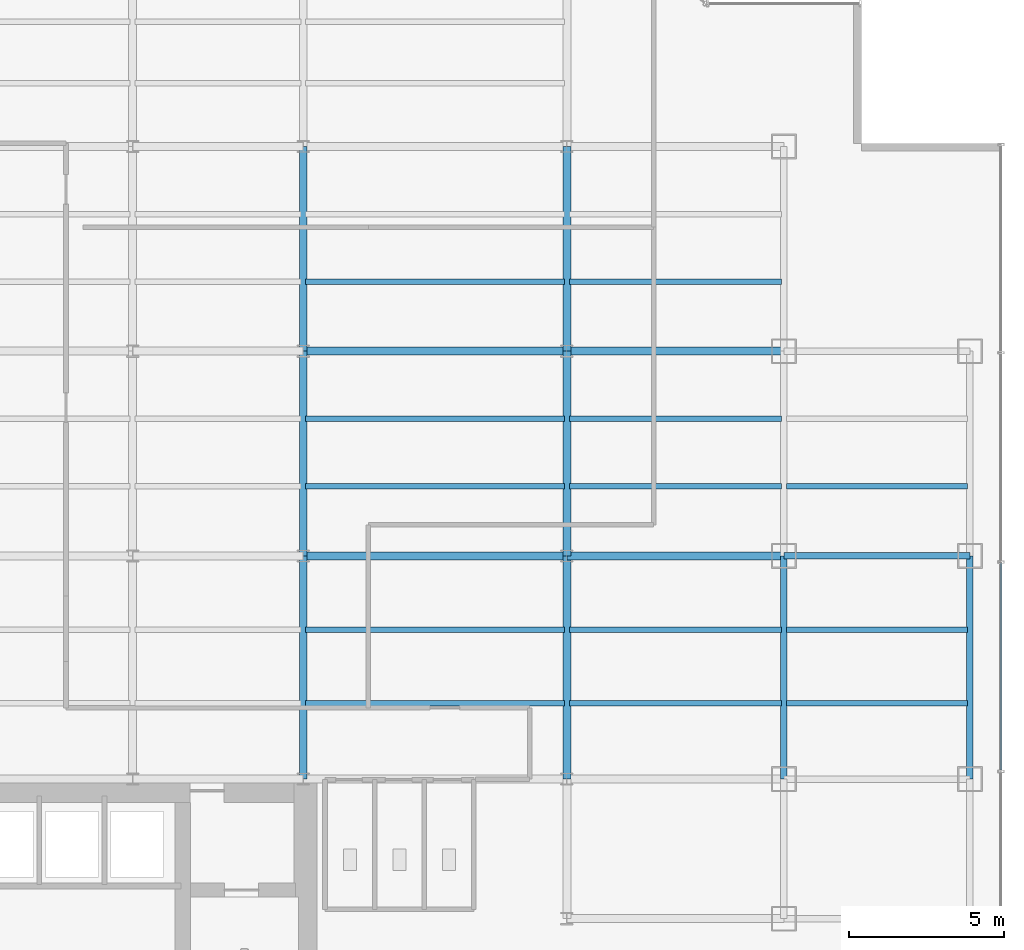
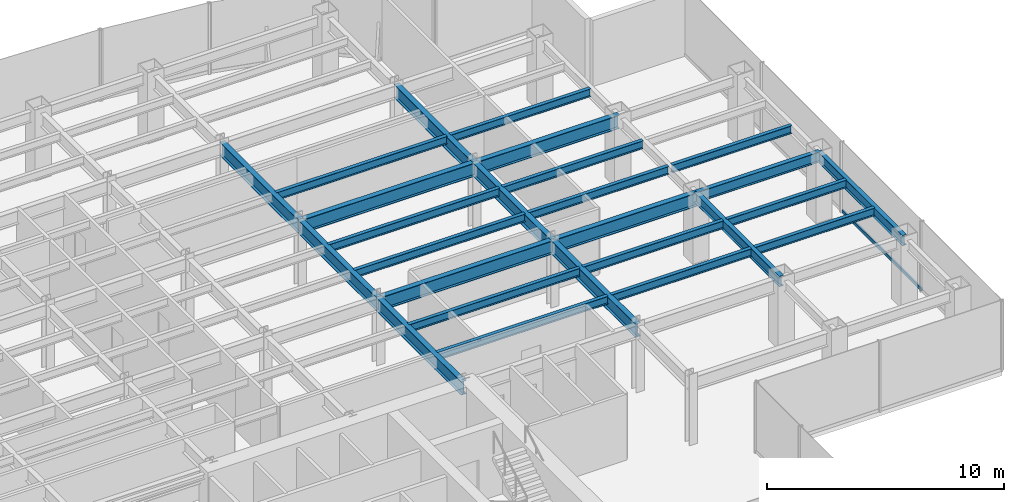
# One storey, part 11 of 26: 26 beams, 1 member, 1 element without a shape of its own.
"""IFC4 building model written with IfcOpenShell, lengths in metres."""

from ifc_helpers import new_model, si_unit, derived_unit, direction, frame, origin, origin_2d, place, context, subcontext, project, spatial, hollow_rectangle, i_section, extrude, source, transform, mapped, material, material_profile, profile_set, type_object, element, aggregate, save


model = new_model("IFC4")

# Units and contexts
model_context = context("Model", 3, precision=1e-05, world=origin(), true_north=direction((0.0, 1.0)))
body_context = subcontext(model_context, "Body", "Model", "MODEL_VIEW")
ifc_project = project(units=[si_unit("LENGTHUNIT", "METRE"), si_unit("AREAUNIT", "SQUARE_METRE"), si_unit("VOLUMEUNIT", "CUBIC_METRE"), si_unit("PLANEANGLEUNIT", "RADIAN"), si_unit("MASSUNIT", "GRAM", prefix="KILO"), derived_unit("THERMALTRANSMITTANCEUNIT", [(si_unit("POWERUNIT", "WATT"), 1), (si_unit("LENGTHUNIT", "METRE"), -2), (si_unit("THERMODYNAMICTEMPERATUREUNIT", "KELVIN"), -1)])], contexts=[model_context])

# Site, building, storey
site_placement = place(None, origin())
site = spatial("IfcSite", under=ifc_project, at=site_placement, CompositionType="ELEMENT")
building_placement = place(site_placement, origin())
building = spatial("IfcBuilding", under=site, at=building_placement, Name="Skarnbrae Concourse Arena and Tower", CompositionType="ELEMENT")
storey_placement = place(building_placement, frame((0.0, 0.0, 114.199951171875)))
storey = spatial("IfcBuildingStorey", under=building, at=storey_placement, Name="L28", CompositionType="ELEMENT", Elevation=114.199951171875)

# Beams
ifc_material_1 = material(Name="Steel CSA G40.21 350W", Category="steel")
ifc_material_profile_1 = material_profile(ifc_material_1, i_section(OverallWidth=0.256103515625, OverallDepth=0.693115234375, WebThickness=0.014404296875, FlangeThickness=0.023681640625, at=origin_2d()), Name="W690X170")
ifc_profile_set_1 = profile_set([ifc_material_profile_1], Name="Steel CSA G40.21 350W")
beam_type_1 = type_object("IfcBeamType", Name="BM-GIRD-W690X170", PredefinedType="BEAM", material=ifc_profile_set_1)
shared_shape_1 = source(origin(), body_context, "Body", "SweptSolid", [
    extrude(i_section(OverallWidth=0.256103515625, OverallDepth=0.693115234375, WebThickness=0.014404296875, FlangeThickness=0.023681640625, at=origin_2d()), origin(), (0.0, 0.0, 1.0), 7.0),
])
for number, where, z_axis, x_axis, name in (
    (1, (42.0, 21.199951171875, 3.053466796875), (1.0, 0.0, 0.0), (0.0, 1.0, 0.0), "L28 Primary E-W girder Y21.2-7"),
    (2, (42.0, 27.800048828125, 3.053466796875), (1.0, 0.0, 0.0), (0.0, 1.0, 0.0), "L28 Primary E-W girder Y27.8-7"),
):
    element("IfcBeam", number, at=place(storey_placement, frame(where, z_axis=z_axis, x_axis=x_axis)), inside=storey, type_object=beam_type_1, Name=name, PredefinedType="BEAM", context=body_context, shape_type="MappedRepresentation", body=[
        mapped(shared_shape_1, transform((0.0, 0.0, 0.0))),
    ])
ifc_material_profile_2 = material_profile(ifc_material_1, i_section(OverallWidth=0.208984375, OverallDepth=0.532958984375, WebThickness=0.01025390625, FlangeThickness=0.015625, at=origin_2d()), Name="W530X92")
ifc_profile_set_2 = profile_set([ifc_material_profile_2], Name="Steel CSA G40.21 350W")
beam_type_2 = type_object("IfcBeamType", Name="BM-SPAN-W530X92", PredefinedType="SPANDREL", material=ifc_profile_set_2)
shared_shape_2 = source(origin(), body_context, "Body", "SweptSolid", [
    extrude(i_section(OverallWidth=0.208984375, OverallDepth=0.532958984375, WebThickness=0.01025390625, FlangeThickness=0.015625, at=origin_2d()), origin(), (0.0, 0.0, 1.0), 6.0),
])
beam_placement = place(storey_placement, frame((49.0, 21.199951171875, 3.133544921875), z_axis=(1.0, 0.0, 0.0), x_axis=(0.0, 1.0, 0.0)))
element("IfcBeam", 3, at=beam_placement, inside=storey, type_object=beam_type_2, Name="L28 Perimeter spandrel Y21.2-8", PredefinedType="SPANDREL", context=body_context, shape_type="MappedRepresentation", body=[
    mapped(shared_shape_2, transform((0.0, 0.0, 0.0))),
])
shared_shape_3 = source(origin(), body_context, "Body", "SweptSolid", [
    extrude(i_section(OverallWidth=0.256103515625, OverallDepth=0.693115234375, WebThickness=0.014404296875, FlangeThickness=0.023681640625, at=origin_2d()), origin(), (0.0, 0.0, 1.0), 6.60009765625),
])
for number, where, z_axis, x_axis, name in (
    (4, (33.5, 21.199951171875, 3.053466796875), (0.0, 1.0, 0.0), (-1.0, 0.0, 0.0), "L28 Primary N-S girder X33.5-2"),
    (5, (42.0, 21.199951171875, 3.053466796875), (0.0, 1.0, 0.0), (-1.0, 0.0, 0.0), "L28 Primary N-S girder X42.0-3"),
):
    element("IfcBeam", number, at=place(storey_placement, frame(where, z_axis=z_axis, x_axis=x_axis)), inside=storey, type_object=beam_type_1, Name=name, PredefinedType="BEAM", context=body_context, shape_type="MappedRepresentation", body=[
        mapped(shared_shape_3, transform((0.0, 0.0, 0.0))),
    ])
shared_shape_4 = source(origin(), body_context, "Body", "SweptSolid", [
    extrude(i_section(OverallWidth=0.256103515625, OverallDepth=0.693115234375, WebThickness=0.014404296875, FlangeThickness=0.023681640625, at=origin_2d()), origin(), (0.0, 0.0, 1.0), 8.5),
])
for number, where, z_axis, x_axis, name in (
    (6, (33.5, 21.199951171875, 3.053466796875), (1.0, 0.0, 0.0), (0.0, 1.0, 0.0), "L28 Primary E-W girder Y21.2-6"),
    (7, (33.5, 27.800048828125, 3.053466796875), (1.0, 0.0, 0.0), (0.0, 1.0, 0.0), "L28 Primary E-W girder Y27.8-6"),
):
    element("IfcBeam", number, at=place(storey_placement, frame(where, z_axis=z_axis, x_axis=x_axis)), inside=storey, type_object=beam_type_1, Name=name, PredefinedType="BEAM", context=body_context, shape_type="MappedRepresentation", body=[
        mapped(shared_shape_4, transform((0.0, 0.0, 0.0))),
    ])
shared_shape_5 = source(origin(), body_context, "Body", "SweptSolid", [
    extrude(i_section(OverallWidth=0.208984375, OverallDepth=0.532958984375, WebThickness=0.01025390625, FlangeThickness=0.015625, at=origin_2d()), origin(), (0.0, 0.0, 1.0), 7.199951171875),
])
for number, where, z_axis, x_axis, name in (
    (8, (49.0, 14.0, 3.133544921875), (0.0, 1.0, 0.0), (-1.0, 0.0, 0.0), "L28 Perimeter spandrel X49.0-2"),
    (9, (55.0, 14.0, 3.133544921875), (0.0, 1.0, 0.0), (-1.0, 0.0, 0.0), "L28 Perimeter spandrel X55.0-2"),
):
    element("IfcBeam", number, at=place(storey_placement, frame(where, z_axis=z_axis, x_axis=x_axis)), inside=storey, type_object=beam_type_2, Name=name, PredefinedType="SPANDREL", context=body_context, shape_type="MappedRepresentation", body=[
        mapped(shared_shape_5, transform((0.0, 0.0, 0.0))),
    ])
shared_shape_6 = source(origin(), body_context, "Body", "SweptSolid", [
    extrude(i_section(OverallWidth=0.256103515625, OverallDepth=0.693115234375, WebThickness=0.014404296875, FlangeThickness=0.023681640625, at=origin_2d()), origin(), (0.0, 0.0, 1.0), 7.199951171875),
])
for number, where, z_axis, x_axis, name in (
    (10, (33.5, 14.0, 3.053466796875), (0.0, 1.0, 0.0), (-1.0, 0.0, 0.0), "L28 Primary N-S girder X33.5-1"),
    (11, (42.0, 14.0, 3.053466796875), (0.0, 1.0, 0.0), (-1.0, 0.0, 0.0), "L28 Primary N-S girder X42.0-2"),
):
    element("IfcBeam", number, at=place(storey_placement, frame(where, z_axis=z_axis, x_axis=x_axis)), inside=storey, type_object=beam_type_1, Name=name, PredefinedType="BEAM", context=body_context, shape_type="MappedRepresentation", body=[
        mapped(shared_shape_6, transform((0.0, 0.0, 0.0))),
    ])
shared_shape_7 = source(origin(), body_context, "Body", "SweptSolid", [
    extrude(i_section(OverallWidth=0.256103515625, OverallDepth=0.693115234375, WebThickness=0.014404296875, FlangeThickness=0.023681640625, at=origin_2d()), origin(), (0.0, 0.0, 1.0), 6.599853515625),
])
for number, where, z_axis, x_axis, name in (
    (12, (33.5, 27.800048828125, 3.053466796875), (0.0, 1.0, 0.0), (-1.0, 0.0, 0.0), "L28 Primary N-S girder X33.5-3"),
    (13, (42.0, 27.800048828125, 3.053466796875), (0.0, 1.0, 0.0), (-1.0, 0.0, 0.0), "L28 Primary N-S girder X42.0-4"),
):
    element("IfcBeam", number, at=place(storey_placement, frame(where, z_axis=z_axis, x_axis=x_axis)), inside=storey, type_object=beam_type_1, Name=name, PredefinedType="BEAM", context=body_context, shape_type="MappedRepresentation", body=[
        mapped(shared_shape_7, transform((0.0, 0.0, 0.0))),
    ])
ifc_material_profile_3 = material_profile(ifc_material_1, i_section(OverallWidth=0.177978515625, OverallDepth=0.406982421875, WebThickness=0.0078125, FlangeThickness=0.0126953125, at=origin_2d()), Name="W410X60")
ifc_profile_set_3 = profile_set([ifc_material_profile_3], Name="Steel CSA G40.21 350W")
beam_type_3 = type_object("IfcBeamType", Name="BM-JOIST-W410X60", PredefinedType="JOIST", material=ifc_profile_set_3)
shared_shape_8 = source(origin(), body_context, "Body", "SweptSolid", [
    extrude(i_section(OverallWidth=0.177978515625, OverallDepth=0.406982421875, WebThickness=0.0078125, FlangeThickness=0.0126953125, at=origin_2d()), origin(), (0.0, 0.0, 1.0), 8.33984375),
])
for number, where, z_axis, x_axis, name in (
    (14, (33.580078125, 16.447998046875, 3.196533203125), (1.0, 0.0, 0.0), (0.0, 1.0, 0.0), "L28 Secondary floor joist 1.1.6"),
    (15, (33.580078125, 18.823974609375, 3.196533203125), (1.0, 0.0, 0.0), (0.0, 1.0, 0.0), "L28 Secondary floor joist 1.2.6"),
    (16, (33.580078125, 23.444091796875, 3.196533203125), (1.0, 0.0, 0.0), (0.0, 1.0, 0.0), "L28 Secondary floor joist 2.1.6"),
    (17, (33.580078125, 25.6220703125, 3.196533203125), (1.0, 0.0, 0.0), (0.0, 1.0, 0.0), "L28 Secondary floor joist 2.2.6"),
    (18, (33.580078125, 30.0439453125, 3.196533203125), (1.0, 0.0, 0.0), (0.0, 1.0, 0.0), "L28 Secondary floor joist 3.1.5"),
):
    element("IfcBeam", number, at=place(storey_placement, frame(where, z_axis=z_axis, x_axis=x_axis)), inside=storey, type_object=beam_type_3, Name=name, PredefinedType="JOIST", context=body_context, shape_type="MappedRepresentation", body=[
        mapped(shared_shape_8, transform((0.0, 0.0, 0.0))),
    ])
shared_shape_9 = source(origin(), body_context, "Body", "SweptSolid", [
    extrude(i_section(OverallWidth=0.177978515625, OverallDepth=0.406982421875, WebThickness=0.0078125, FlangeThickness=0.0126953125, at=origin_2d()), origin(), (0.0, 0.0, 1.0), 6.83984375),
])
for number, where, z_axis, x_axis, name in (
    (19, (42.080078125, 16.447998046875, 3.196533203125), (1.0, 0.0, 0.0), (0.0, 1.0, 0.0), "L28 Secondary floor joist 1.1.7"),
    (20, (42.080078125, 18.823974609375, 3.196533203125), (1.0, 0.0, 0.0), (0.0, 1.0, 0.0), "L28 Secondary floor joist 1.2.7"),
    (21, (42.080078125, 23.444091796875, 3.196533203125), (1.0, 0.0, 0.0), (0.0, 1.0, 0.0), "L28 Secondary floor joist 2.1.7"),
    (22, (42.080078125, 25.6220703125, 3.196533203125), (1.0, 0.0, 0.0), (0.0, 1.0, 0.0), "L28 Secondary floor joist 2.2.7"),
    (23, (42.080078125, 30.0439453125, 3.196533203125), (1.0, 0.0, 0.0), (0.0, 1.0, 0.0), "L28 Secondary floor joist 3.1.6"),
):
    element("IfcBeam", number, at=place(storey_placement, frame(where, z_axis=z_axis, x_axis=x_axis)), inside=storey, type_object=beam_type_3, Name=name, PredefinedType="JOIST", context=body_context, shape_type="MappedRepresentation", body=[
        mapped(shared_shape_9, transform((0.0, 0.0, 0.0))),
    ])
shared_shape_10 = source(origin(), body_context, "Body", "SweptSolid", [
    extrude(i_section(OverallWidth=0.177978515625, OverallDepth=0.406982421875, WebThickness=0.0078125, FlangeThickness=0.0126953125, at=origin_2d()), origin(), (0.0, 0.0, 1.0), 5.83984375),
])
for number, where, z_axis, x_axis, name in (
    (24, (49.080078125, 16.447998046875, 3.196533203125), (1.0, 0.0, 0.0), (0.0, 1.0, 0.0), "L28 Secondary floor joist 1.1.8"),
    (25, (49.080078125, 18.823974609375, 3.196533203125), (1.0, 0.0, 0.0), (0.0, 1.0, 0.0), "L28 Secondary floor joist 1.2.8"),
    (26, (49.080078125, 23.444091796875, 3.196533203125), (1.0, 0.0, 0.0), (0.0, 1.0, 0.0), "L28 Secondary floor joist 2.1.8"),
):
    element("IfcBeam", number, at=place(storey_placement, frame(where, z_axis=z_axis, x_axis=x_axis)), inside=storey, type_object=beam_type_3, Name=name, PredefinedType="JOIST", context=body_context, shape_type="MappedRepresentation", body=[
        mapped(shared_shape_10, transform((0.0, 0.0, 0.0))),
    ])

# Curtain wall, member
ifc_material_2 = material(Name="Bronze anodised aluminium 6063-T6", Category="aluminium")
curtain_wall_type = type_object("IfcCurtainWallType", Name="CW-SYS-04-MIDZONE", PredefinedType="USERDEFINED", material=ifc_material_2)
curtain_wall_placement = place(storey_placement, origin())
curtain_wall = element("IfcCurtainWall", 27, at=curtain_wall_placement, inside=storey, type_object=curtain_wall_type, Name="L28 Unitised curtain wall CW-L28-E04", ObjectType="UNITISED CURTAIN WALL", PredefinedType="USERDEFINED")
ifc_material_profile_4 = material_profile(ifc_material_2, hollow_rectangle(XDim=0.074951171875, YDim=0.159912109375, WallThickness=0.00439453125, at=origin_2d()), Name="ALU-TRAN-75X160")
ifc_profile_set_4 = profile_set([ifc_material_profile_4], Name="Bronze anodised aluminium 6063-T6")
member_type = type_object("IfcMemberType", Name="CWT-CW-04", PredefinedType="USERDEFINED", material=ifc_profile_set_4)
shared_shape_11 = source(origin(), body_context, "Body", "SweptSolid", [
    extrude(hollow_rectangle(XDim=0.074951171875, YDim=0.159912109375, WallThickness=0.00439453125, at=origin_2d()), origin(), (0.0, 0.0, 1.0), 6.6748046875),
])
member_placement = place(storey_placement, frame((56.0, 14.28759765625, 0.080078125), z_axis=(0.0, 1.0, 0.0), x_axis=(-1.0, 0.0, 0.0)))
member = element("IfcMember", 28, at=member_placement, type_object=member_type, Name="CW-L28-E04 Transom 2", ObjectType="TRANSOM", PredefinedType="USERDEFINED", context=body_context, shape_type="MappedRepresentation", body=[
    mapped(shared_shape_11, transform((0.0, 0.0, 0.0))),
])
aggregate(curtain_wall, [member])

save(model, "model.ifc")
